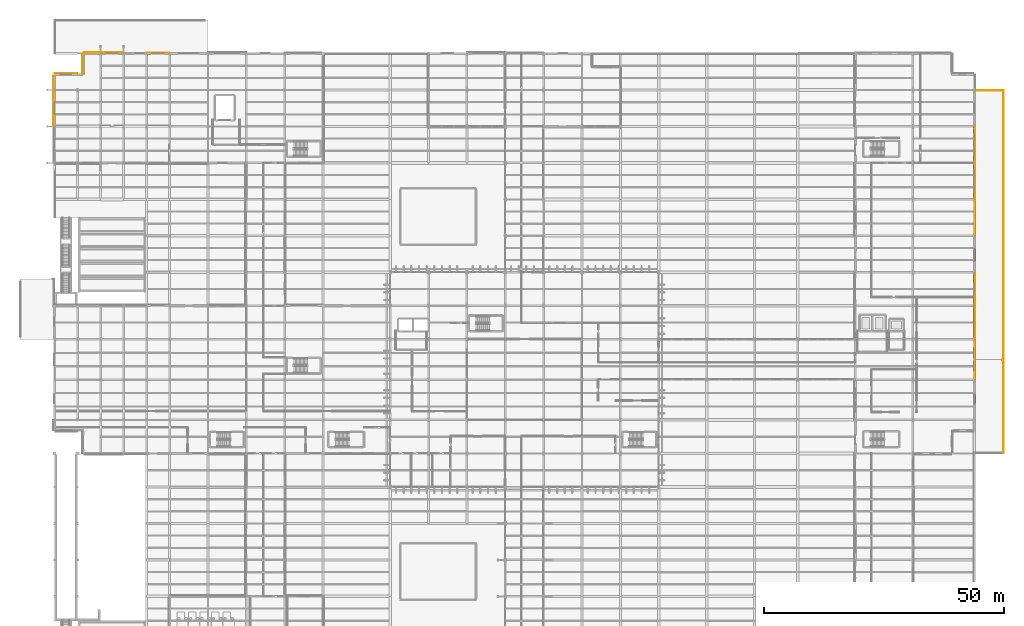
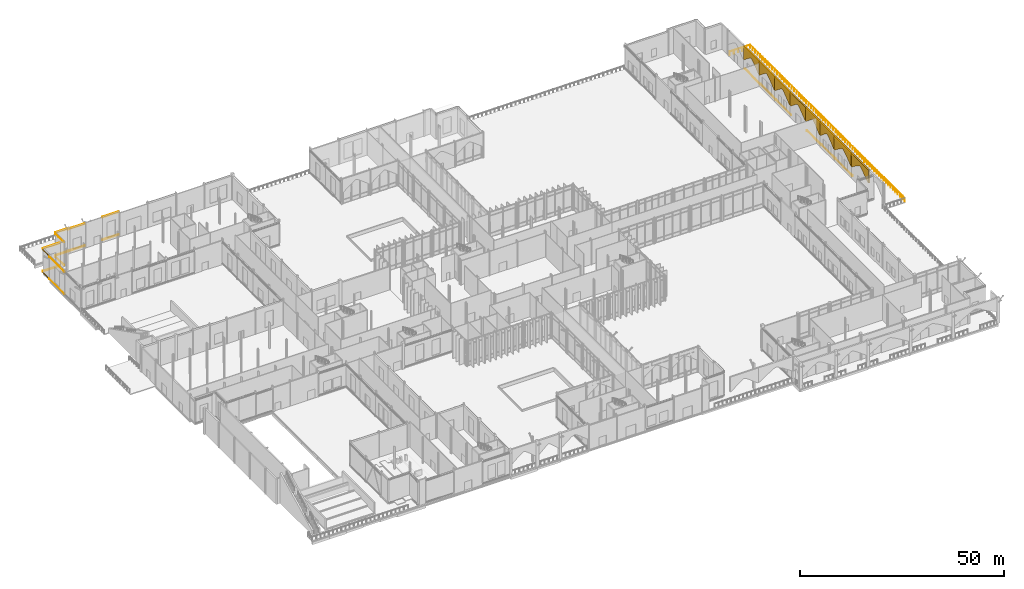
# One storey, part 174 of 176: 34 coverings, 2 railings.
"""IFC4 building model written with IfcOpenShell, lengths in metres."""

from ifc_helpers import new_model, si_unit, direction, frame, origin, origin_2d, place, context, subcontext, project, spatial, polyline, rectangle, circle, outline, extrude, material, layer, layer_set, type_object, element, save


model = new_model("IFC4")

# Units and contexts
model_context = context("Model", 3, precision=1e-05, world=origin(), true_north=direction((0.0, 1.0)))
body_context = subcontext(model_context, "Body", "Model", "MODEL_VIEW")
ifc_project = project(units=[si_unit("LENGTHUNIT", "METRE"), si_unit("AREAUNIT", "SQUARE_METRE"), si_unit("VOLUMEUNIT", "CUBIC_METRE"), si_unit("PLANEANGLEUNIT", "RADIAN"), si_unit("MASSUNIT", "GRAM", prefix="KILO")], contexts=[model_context])

# Site, building, storey
site_placement = place(None, origin())
site = spatial("IfcSite", under=ifc_project, at=site_placement, CompositionType="ELEMENT")
building_placement = place(site_placement, origin())
building = spatial("IfcBuilding", under=site, at=building_placement, Name="Vekula Escarpment Museum", CompositionType="ELEMENT")
storey_placement = place(building_placement, origin())
storey = spatial("IfcBuildingStorey", under=building, at=storey_placement, Name="L01", CompositionType="ELEMENT", Elevation=0.0)

# Coverings
ifc_material_1 = material(Name="Polychrome limestone almasik string-course band", Category="masonry")
ifc_layer_1 = layer(ifc_material_1, 0.06005859375)
ifc_layer_set_1 = layer_set([ifc_layer_1], Name="Polychrome limestone almasik string-course band")
covering_type_1 = type_object("IfcCoveringType", Name="COV-ALM-BAND", PredefinedType="CLADDING", material=ifc_layer_set_1)
for number, where, z_axis, x_axis, name in (
    (1, (191.97607421875, 72.199951171875, 0.41015625), (0.0, 0.0, 1.0), (0.0, 1.0, 0.0), "Almasik Stone String Course L01-0045"),
    (2, (191.97607421875, 72.199951171875, 6.7548828125), (0.0, 0.0, 1.0), (0.0, 1.0, 0.0), "Almasik Stone String Course L01-0046"),
):
    element("IfcCovering", number, at=place(storey_placement, frame(where, z_axis=z_axis, x_axis=x_axis)), inside=storey, type_object=covering_type_1, Name=name, PredefinedType="CLADDING", context=body_context, shape_type="SweptSolid", body=[
        extrude(rectangle(XDim=8.280029296875, YDim=0.06005859375, at=origin_2d()), origin(), (0.0, 0.0, 1.0), 0.219970703125),
    ])
for number, where, z_axis, x_axis, name in (
    (3, (192.01611328125, 79.89990234375, 0.41015625), (0.0, 0.0, 1.0), (0.0, 1.0, 0.0), "Almasik Stone String Course L01-0047"),
    (4, (192.01611328125, 79.89990234375, 6.90478515625), (0.0, 0.0, 1.0), (0.0, 1.0, 0.0), "Almasik Stone String Course L01-0048"),
    (5, (192.0009765625, 86.89990234375, 0.41015625), (0.0, 0.0, 1.0), (0.0, 1.0, 0.0), "Almasik Stone String Course L01-0049"),
    (6, (192.0009765625, 86.89990234375, 6.90478515625), (0.0, 0.0, 1.0), (0.0, 1.0, 0.0), "Almasik Stone String Course L01-0050"),
):
    element("IfcCovering", number, at=place(storey_placement, frame(where, z_axis=z_axis, x_axis=x_axis)), inside=storey, type_object=covering_type_1, Name=name, PredefinedType="CLADDING", context=body_context, shape_type="SweptSolid", body=[
        extrude(rectangle(XDim=6.8798828125, YDim=0.06005859375, at=origin_2d()), origin(), (0.0, 0.0, 1.0), 0.219970703125),
    ])
for number, where, z_axis, x_axis, name in (
    (7, (191.97607421875, 101.800048828125, 0.41015625), (0.0, 0.0, 1.0), (0.0, 1.0, 0.0), "Almasik Stone String Course L01-0051"),
    (8, (191.97607421875, 101.800048828125, 6.90478515625), (0.0, 0.0, 1.0), (0.0, 1.0, 0.0), "Almasik Stone String Course L01-0052"),
    (9, (192.01611328125, 109.39990234375, 0.41015625), (0.0, 0.0, 1.0), (0.0, 1.0, 0.0), "Almasik Stone String Course L01-0053"),
    (10, (192.01611328125, 109.39990234375, 6.90478515625), (0.0, 0.0, 1.0), (0.0, 1.0, 0.0), "Almasik Stone String Course L01-0054"),
    (11, (192.0009765625, 117.0, 0.41015625), (0.0, 0.0, 1.0), (0.0, 1.0, 0.0), "Almasik Stone String Course L01-0055"),
    (12, (192.0009765625, 117.0, 6.90478515625), (0.0, 0.0, 1.0), (0.0, 1.0, 0.0), "Almasik Stone String Course L01-0056"),
):
    element("IfcCovering", number, at=place(storey_placement, frame(where, z_axis=z_axis, x_axis=x_axis)), inside=storey, type_object=covering_type_1, Name=name, PredefinedType="CLADDING", context=body_context, shape_type="SweptSolid", body=[
        extrude(rectangle(XDim=7.47998046875, YDim=0.06005859375, at=origin_2d()), origin(), (0.0, 0.0, 1.0), 0.219970703125),
    ])
for number, where, z_axis, x_axis, name in (
    (13, (21.60009765625, 136.18603515625, 0.41015625), (0.0, 0.0, 1.0), (1.0, 0.0, 0.0), "Almasik Stone String Course L01-0117"),
    (14, (21.60009765625, 136.18603515625, 7.2099609375), (0.0, 0.0, 1.0), (1.0, 0.0, 0.0), "Almasik Stone String Course L01-0118"),
    (15, (12.0, 136.216064453125, 0.41015625), (0.0, 0.0, 1.0), (1.0, 0.0, 0.0), "Almasik Stone String Course L01-0119"),
    (16, (12.0, 136.216064453125, 6.98486328125), (0.0, 0.0, 1.0), (1.0, 0.0, 0.0), "Almasik Stone String Course L01-0120"),
):
    element("IfcCovering", number, at=place(storey_placement, frame(where, z_axis=z_axis, x_axis=x_axis)), inside=storey, type_object=covering_type_1, Name=name, PredefinedType="CLADDING", context=body_context, shape_type="SweptSolid", body=[
        extrude(rectangle(XDim=4.679931640625, YDim=0.06005859375, at=origin_2d()), origin(), (0.0, 0.0, 1.0), 0.219970703125),
    ])
for number, where, z_axis, x_axis, name in (
    (17, (7.800048828125, 136.200927734375, 0.41015625), (0.0, 0.0, 1.0), (1.0, 0.0, 0.0), "Almasik Stone String Course L01-0121"),
    (18, (7.800048828125, 136.200927734375, 7.2099609375), (0.0, 0.0, 1.0), (1.0, 0.0, 0.0), "Almasik Stone String Course L01-0122"),
):
    element("IfcCovering", number, at=place(storey_placement, frame(where, z_axis=z_axis, x_axis=x_axis)), inside=storey, type_object=covering_type_1, Name=name, PredefinedType="CLADDING", context=body_context, shape_type="SweptSolid", body=[
        extrude(rectangle(XDim=3.47998046875, YDim=0.06005859375, at=origin_2d()), origin(), (0.0, 0.0, 1.0), 0.219970703125),
    ])
for number, where, z_axis, x_axis, name in (
    (19, (5.81396484375, 133.744384765625, 0.41015625), (0.0, 0.0, 1.0), (0.0, 1.0, 0.0), "Almasik Stone String Course L01-0123"),
    (20, (5.81396484375, 133.744384765625, 7.2099609375), (0.0, 0.0, 1.0), (0.0, 1.0, 0.0), "Almasik Stone String Course L01-0124"),
):
    element("IfcCovering", number, at=place(storey_placement, frame(where, z_axis=z_axis, x_axis=x_axis)), inside=storey, type_object=covering_type_1, Name=name, PredefinedType="CLADDING", context=body_context, shape_type="SweptSolid", body=[
        extrude(rectangle(XDim=4.032958984375, YDim=0.06005859375, at=origin_2d()), origin(), (0.0, 0.0, 1.0), 0.219970703125),
    ])
for number, where, z_axis, x_axis, name in (
    (21, (2.39990234375, 131.884033203125, 0.41015625), (0.0, 0.0, 1.0), (1.0, 0.0, 0.0), "Almasik Stone String Course L01-0125"),
    (22, (2.39990234375, 131.884033203125, 7.2099609375), (0.0, 0.0, 1.0), (1.0, 0.0, 0.0), "Almasik Stone String Course L01-0126"),
):
    element("IfcCovering", number, at=place(storey_placement, frame(where, z_axis=z_axis, x_axis=x_axis)), inside=storey, type_object=covering_type_1, Name=name, PredefinedType="CLADDING", context=body_context, shape_type="SweptSolid", body=[
        extrude(rectangle(XDim=4.679931640625, YDim=0.06005859375, at=origin_2d()), origin(), (0.0, 0.0, 1.0), 0.219970703125),
    ])
for number, where, z_axis, x_axis, name in (
    (23, (-0.200927734375, 129.93701171875, 0.41015625), (0.0, 0.0, 1.0), (0.0, 1.0, 0.0), "Almasik Stone String Course L01-0127"),
    (24, (-0.200927734375, 129.93701171875, 7.2099609375), (0.0, 0.0, 1.0), (0.0, 1.0, 0.0), "Almasik Stone String Course L01-0128"),
):
    element("IfcCovering", number, at=place(storey_placement, frame(where, z_axis=z_axis, x_axis=x_axis)), inside=storey, type_object=covering_type_1, Name=name, PredefinedType="CLADDING", context=body_context, shape_type="SweptSolid", body=[
        extrude(rectangle(XDim=2.9541015625, YDim=0.06005859375, at=origin_2d()), origin(), (0.0, 0.0, 1.0), 0.219970703125),
    ])
for number, where, z_axis, x_axis, name in (
    (25, (-0.18603515625, 124.60009765625, 0.41015625), (0.0, 0.0, 1.0), (0.0, 1.0, 0.0), "Almasik Stone String Course L01-0129"),
    (26, (-0.18603515625, 124.60009765625, 6.96484375), (0.0, 0.0, 1.0), (0.0, 1.0, 0.0), "Almasik Stone String Course L01-0130"),
):
    element("IfcCovering", number, at=place(storey_placement, frame(where, z_axis=z_axis, x_axis=x_axis)), inside=storey, type_object=covering_type_1, Name=name, PredefinedType="CLADDING", context=body_context, shape_type="SweptSolid", body=[
        extrude(rectangle(XDim=7.47998046875, YDim=0.06005859375, at=origin_2d()), origin(), (0.0, 0.0, 1.0), 0.219970703125),
    ])
ifc_material_2 = material(Name="Carved limestone revak pointed-arch cladding", Category="masonry")
ifc_layer_2 = layer(ifc_material_2, 0.3798828125)
ifc_layer_set_2 = layer_set([ifc_layer_2], Name="Carved limestone revak pointed-arch cladding")
covering_type_2 = type_object("IfcCoveringType", Name="COV-REVAK-ARCH", PredefinedType="CLADDING", material=ifc_layer_set_2)
for number, where, z_axis, x_axis, name in (
    (27, (191.590087890625, 63.800048828125, 3.550048828125), (1.0, 0.0, 0.0), (0.0, 1.0, 0.0), "Ottoman Pointed-Arch Revak Spandrel E-CUMB-2"),
    (28, (191.590087890625, 72.199951171875, 3.550048828125), (1.0, 0.0, 0.0), (0.0, 1.0, 0.0), "Ottoman Pointed-Arch Revak Spandrel E-CUMB-3"),
):
    element("IfcCovering", number, at=place(storey_placement, frame(where, z_axis=z_axis, x_axis=x_axis)), inside=storey, type_object=covering_type_2, Name=name, PredefinedType="CLADDING", context=body_context, shape_type="SweptSolid", body=[
        extrude(outline(polyline([(-4.179931640625, 4.0), (4.179931640625, 4.0), (4.179931640625, 0.0), (3.840087890625, 0.0), (3.08544921875, 0.57861328125), (2.358642578125, 1.128173828125), (1.68701171875, 1.62109375), (1.095458984375, 2.03271484375), (0.605712890625, 2.342529296875), (0.23583984375, 2.534912109375), (0.0, 2.60009765625), (-0.23583984375, 2.534912109375), (-0.605712890625, 2.342529296875), (-1.095458984375, 2.03271484375), (-1.68701171875, 1.62109375), (-2.358642578125, 1.128173828125), (-3.08544921875, 0.57861328125), (-3.840087890625, 0.0), (-4.179931640625, 0.0), (-4.179931640625, 4.0)])), origin(), (0.0, 0.0, 1.0), 0.419921875),
    ])
for number, where, z_axis, x_axis, name in (
    (29, (191.590087890625, 79.89990234375, 3.550048828125), (1.0, 0.0, 0.0), (0.0, 1.0, 0.0), "Ottoman Pointed-Arch Revak Spandrel E-CUMB-4"),
    (30, (191.590087890625, 86.89990234375, 3.550048828125), (1.0, 0.0, 0.0), (0.0, 1.0, 0.0), "Ottoman Pointed-Arch Revak Spandrel E-CUMB-5"),
):
    element("IfcCovering", number, at=place(storey_placement, frame(where, z_axis=z_axis, x_axis=x_axis)), inside=storey, type_object=covering_type_2, Name=name, PredefinedType="CLADDING", context=body_context, shape_type="SweptSolid", body=[
        extrude(outline(polyline([(-3.47998046875, 4.0), (3.47998046875, 4.0), (3.47998046875, 0.0), (3.139892578125, 0.0), (2.52294921875, 0.545166015625), (1.9287109375, 1.06298828125), (1.379638671875, 1.527587890625), (0.895751953125, 1.91552734375), (0.4951171875, 2.20751953125), (0.19287109375, 2.388671875), (0.0, 2.449951171875), (-0.19287109375, 2.388671875), (-0.4951171875, 2.20751953125), (-0.895751953125, 1.91552734375), (-1.379638671875, 1.527587890625), (-1.9287109375, 1.06298828125), (-2.52294921875, 0.545166015625), (-3.139892578125, 0.0), (-3.47998046875, 0.0), (-3.47998046875, 4.0)])), origin(), (0.0, 0.0, 1.0), 0.419921875),
    ])
for number, where, z_axis, x_axis, name in (
    (31, (191.590087890625, 94.199951171875, 3.550048828125), (1.0, 0.0, 0.0), (0.0, 1.0, 0.0), "Ottoman Pointed-Arch Revak Spandrel E-CUMB-6"),
    (32, (191.590087890625, 101.800048828125, 3.550048828125), (1.0, 0.0, 0.0), (0.0, 1.0, 0.0), "Ottoman Pointed-Arch Revak Spandrel E-CUMB-7"),
    (33, (191.590087890625, 109.39990234375, 3.550048828125), (1.0, 0.0, 0.0), (0.0, 1.0, 0.0), "Ottoman Pointed-Arch Revak Spandrel E-CUMB-8"),
    (34, (191.590087890625, 117.0, 3.550048828125), (1.0, 0.0, 0.0), (0.0, 1.0, 0.0), "Ottoman Pointed-Arch Revak Spandrel E-CUMB-9"),
):
    element("IfcCovering", number, at=place(storey_placement, frame(where, z_axis=z_axis, x_axis=x_axis)), inside=storey, type_object=covering_type_2, Name=name, PredefinedType="CLADDING", context=body_context, shape_type="SweptSolid", body=[
        extrude(outline(polyline([(-3.780029296875, 4.0), (3.780029296875, 4.0), (3.780029296875, 0.0), (3.43994140625, 0.0), (2.763916015625, 0.556396484375), (2.113037109375, 1.084716796875), (1.511474609375, 1.55859375), (0.981201171875, 1.95458984375), (0.54248046875, 2.25244140625), (0.211181640625, 2.437255859375), (0.0, 2.5), (-0.211181640625, 2.437255859375), (-0.54248046875, 2.25244140625), (-0.981201171875, 1.95458984375), (-1.511474609375, 1.55859375), (-2.113037109375, 1.084716796875), (-2.763916015625, 0.556396484375), (-3.43994140625, 0.0), (-3.780029296875, 0.0), (-3.780029296875, 4.0)])), origin(), (0.0, 0.0, 1.0), 0.419921875),
    ])

# Railings
ifc_material_3 = material(Name="Bronze-coated Steel S355 balustrade", Category="steel")
railing_type = type_object("IfcRailingType", Name="RL-TER-GUARD", PredefinedType="GUARDRAIL", material=ifc_material_3)
railing_1_placement = place(storey_placement, frame((197.64990234375, 72.10009765625, 0.0)))
element("IfcRailing", 35, at=railing_1_placement, inside=storey, type_object=railing_type, Name="Terrace Balustrade L01-009", PredefinedType="GUARDRAIL", context=body_context, shape_type="SweptSolid", body=[
    extrude(circle(Radius=0.02392578125, at=origin_2d()), frame((0.0, 0.0, 1.076171875), z_axis=(1.0, 0.0, 0.0), x_axis=(0.0, 1.0, 0.0)), (0.0, 0.0, 1.0), 0.260009765625),
    extrude(circle(Radius=0.02392578125, at=origin_2d()), frame((0.260009765625, 0.0, 1.076171875), z_axis=(0.0, -1.0, 0.0), x_axis=(1.0, 0.0, 0.0)), (0.0, 0.0, 1.0), 19.41015625),
    extrude(circle(Radius=0.02099609375, at=origin_2d()), origin(), (0.0, 0.0, 1.0), 1.052001953125),
    extrude(circle(Radius=0.02099609375, at=origin_2d()), frame((0.260009765625, 0.0, 0.0)), (0.0, 0.0, 1.0), 1.052001953125),
    extrude(circle(Radius=0.02099609375, at=origin_2d()), frame((0.260009765625, -1.141845703125, 0.0)), (0.0, 0.0, 1.0), 1.052001953125),
    extrude(circle(Radius=0.02099609375, at=origin_2d()), frame((0.260009765625, -2.283447265625, 0.0)), (0.0, 0.0, 1.0), 1.052001953125),
    extrude(circle(Radius=0.02099609375, at=origin_2d()), frame((0.260009765625, -3.42529296875, 0.0)), (0.0, 0.0, 1.0), 1.052001953125),
    extrude(circle(Radius=0.02099609375, at=origin_2d()), frame((0.260009765625, -4.567138671875, 0.0)), (0.0, 0.0, 1.0), 1.052001953125),
    extrude(circle(Radius=0.02099609375, at=origin_2d()), frame((0.260009765625, -5.708984375, 0.0)), (0.0, 0.0, 1.0), 1.052001953125),
    extrude(circle(Radius=0.02099609375, at=origin_2d()), frame((0.260009765625, -6.8505859375, 0.0)), (0.0, 0.0, 1.0), 1.052001953125),
    extrude(circle(Radius=0.02099609375, at=origin_2d()), frame((0.260009765625, -7.992431640625, 0.0)), (0.0, 0.0, 1.0), 1.052001953125),
    extrude(circle(Radius=0.02099609375, at=origin_2d()), frame((0.260009765625, -9.13427734375, 0.0)), (0.0, 0.0, 1.0), 1.052001953125),
    extrude(circle(Radius=0.02099609375, at=origin_2d()), frame((0.260009765625, -10.27587890625, 0.0)), (0.0, 0.0, 1.0), 1.052001953125),
    extrude(circle(Radius=0.02099609375, at=origin_2d()), frame((0.260009765625, -11.417724609375, 0.0)), (0.0, 0.0, 1.0), 1.052001953125),
    extrude(circle(Radius=0.02099609375, at=origin_2d()), frame((0.260009765625, -12.5595703125, 0.0)), (0.0, 0.0, 1.0), 1.052001953125),
    extrude(circle(Radius=0.02099609375, at=origin_2d()), frame((0.260009765625, -13.701171875, 0.0)), (0.0, 0.0, 1.0), 1.052001953125),
    extrude(circle(Radius=0.02099609375, at=origin_2d()), frame((0.260009765625, -14.843017578125, 0.0)), (0.0, 0.0, 1.0), 1.052001953125),
    extrude(circle(Radius=0.02099609375, at=origin_2d()), frame((0.260009765625, -15.98486328125, 0.0)), (0.0, 0.0, 1.0), 1.052001953125),
    extrude(circle(Radius=0.02099609375, at=origin_2d()), frame((0.260009765625, -17.126708984375, 0.0)), (0.0, 0.0, 1.0), 1.052001953125),
    extrude(circle(Radius=0.02099609375, at=origin_2d()), frame((0.260009765625, -18.268310546875, 0.0)), (0.0, 0.0, 1.0), 1.052001953125),
    extrude(circle(Radius=0.02099609375, at=origin_2d()), frame((0.260009765625, -19.41015625, 0.0)), (0.0, 0.0, 1.0), 1.052001953125),
])
railing_2_placement = place(storey_placement, frame((192.1201171875, 128.31005859375, 0.0)))
element("IfcRailing", 36, at=railing_2_placement, inside=storey, type_object=railing_type, Name="Terrace Balustrade L01-020", PredefinedType="GUARDRAIL", context=body_context, shape_type="SweptSolid", body=[
    extrude(circle(Radius=0.02392578125, at=origin_2d()), frame((0.0, 0.0, 1.076171875), z_axis=(1.0, 0.0, 0.0), x_axis=(0.0, 1.0, 0.0)), (0.0, 0.0, 1.0), 5.789794921875),
    extrude(circle(Radius=0.02392578125, at=origin_2d()), frame((5.789794921875, 0.0, 1.076171875), z_axis=(0.0, -1.0, 0.0), x_axis=(1.0, 0.0, 0.0)), (0.0, 0.0, 1.0), 56.010009765625),
    extrude(circle(Radius=0.02099609375, at=origin_2d()), origin(), (0.0, 0.0, 1.0), 1.052001953125),
    extrude(circle(Radius=0.02099609375, at=origin_2d()), frame((1.157958984375, 0.0, 0.0)), (0.0, 0.0, 1.0), 1.052001953125),
    extrude(circle(Radius=0.02099609375, at=origin_2d()), frame((2.31591796875, 0.0, 0.0)), (0.0, 0.0, 1.0), 1.052001953125),
    extrude(circle(Radius=0.02099609375, at=origin_2d()), frame((3.473876953125, 0.0, 0.0)), (0.0, 0.0, 1.0), 1.052001953125),
    extrude(circle(Radius=0.02099609375, at=origin_2d()), frame((4.6318359375, 0.0, 0.0)), (0.0, 0.0, 1.0), 1.052001953125),
    extrude(circle(Radius=0.02099609375, at=origin_2d()), frame((5.789794921875, 0.0, 0.0)), (0.0, 0.0, 1.0), 1.052001953125),
    extrude(circle(Radius=0.02099609375, at=origin_2d()), frame((5.789794921875, -1.191650390625, 0.0)), (0.0, 0.0, 1.0), 1.052001953125),
    extrude(circle(Radius=0.02099609375, at=origin_2d()), frame((5.789794921875, -2.38330078125, 0.0)), (0.0, 0.0, 1.0), 1.052001953125),
    extrude(circle(Radius=0.02099609375, at=origin_2d()), frame((5.789794921875, -3.5751953125, 0.0)), (0.0, 0.0, 1.0), 1.052001953125),
    extrude(circle(Radius=0.02099609375, at=origin_2d()), frame((5.789794921875, -4.766845703125, 0.0)), (0.0, 0.0, 1.0), 1.052001953125),
    extrude(circle(Radius=0.02099609375, at=origin_2d()), frame((5.789794921875, -5.95849609375, 0.0)), (0.0, 0.0, 1.0), 1.052001953125),
    extrude(circle(Radius=0.02099609375, at=origin_2d()), frame((5.789794921875, -7.150146484375, 0.0)), (0.0, 0.0, 1.0), 1.052001953125),
    extrude(circle(Radius=0.02099609375, at=origin_2d()), frame((5.789794921875, -8.341796875, 0.0)), (0.0, 0.0, 1.0), 1.052001953125),
    extrude(circle(Radius=0.02099609375, at=origin_2d()), frame((5.789794921875, -9.53369140625, 0.0)), (0.0, 0.0, 1.0), 1.052001953125),
    extrude(circle(Radius=0.02099609375, at=origin_2d()), frame((5.789794921875, -10.725341796875, 0.0)), (0.0, 0.0, 1.0), 1.052001953125),
    extrude(circle(Radius=0.02099609375, at=origin_2d()), frame((5.789794921875, -11.9169921875, 0.0)), (0.0, 0.0, 1.0), 1.052001953125),
    extrude(circle(Radius=0.02099609375, at=origin_2d()), frame((5.789794921875, -13.108642578125, 0.0)), (0.0, 0.0, 1.0), 1.052001953125),
    extrude(circle(Radius=0.02099609375, at=origin_2d()), frame((5.789794921875, -14.300537109375, 0.0)), (0.0, 0.0, 1.0), 1.052001953125),
    extrude(circle(Radius=0.02099609375, at=origin_2d()), frame((5.789794921875, -15.4921875, 0.0)), (0.0, 0.0, 1.0), 1.052001953125),
    extrude(circle(Radius=0.02099609375, at=origin_2d()), frame((5.789794921875, -16.683837890625, 0.0)), (0.0, 0.0, 1.0), 1.052001953125),
    extrude(circle(Radius=0.02099609375, at=origin_2d()), frame((5.789794921875, -17.87548828125, 0.0)), (0.0, 0.0, 1.0), 1.052001953125),
    extrude(circle(Radius=0.02099609375, at=origin_2d()), frame((5.789794921875, -19.067138671875, 0.0)), (0.0, 0.0, 1.0), 1.052001953125),
    extrude(circle(Radius=0.02099609375, at=origin_2d()), frame((5.789794921875, -20.259033203125, 0.0)), (0.0, 0.0, 1.0), 1.052001953125),
    extrude(circle(Radius=0.02099609375, at=origin_2d()), frame((5.789794921875, -21.45068359375, 0.0)), (0.0, 0.0, 1.0), 1.052001953125),
    extrude(circle(Radius=0.02099609375, at=origin_2d()), frame((5.789794921875, -22.642333984375, 0.0)), (0.0, 0.0, 1.0), 1.052001953125),
    extrude(circle(Radius=0.02099609375, at=origin_2d()), frame((5.789794921875, -23.833984375, 0.0)), (0.0, 0.0, 1.0), 1.052001953125),
    extrude(circle(Radius=0.02099609375, at=origin_2d()), frame((5.789794921875, -25.025634765625, 0.0)), (0.0, 0.0, 1.0), 1.052001953125),
    extrude(circle(Radius=0.02099609375, at=origin_2d()), frame((5.789794921875, -26.217529296875, 0.0)), (0.0, 0.0, 1.0), 1.052001953125),
    extrude(circle(Radius=0.02099609375, at=origin_2d()), frame((5.789794921875, -27.4091796875, 0.0)), (0.0, 0.0, 1.0), 1.052001953125),
    extrude(circle(Radius=0.02099609375, at=origin_2d()), frame((5.789794921875, -28.600830078125, 0.0)), (0.0, 0.0, 1.0), 1.052001953125),
    extrude(circle(Radius=0.02099609375, at=origin_2d()), frame((5.789794921875, -29.79248046875, 0.0)), (0.0, 0.0, 1.0), 1.052001953125),
    extrude(circle(Radius=0.02099609375, at=origin_2d()), frame((5.789794921875, -30.984375, 0.0)), (0.0, 0.0, 1.0), 1.052001953125),
    extrude(circle(Radius=0.02099609375, at=origin_2d()), frame((5.789794921875, -32.176025390625, 0.0)), (0.0, 0.0, 1.0), 1.052001953125),
    extrude(circle(Radius=0.02099609375, at=origin_2d()), frame((5.789794921875, -33.36767578125, 0.0)), (0.0, 0.0, 1.0), 1.052001953125),
    extrude(circle(Radius=0.02099609375, at=origin_2d()), frame((5.789794921875, -34.559326171875, 0.0)), (0.0, 0.0, 1.0), 1.052001953125),
    extrude(circle(Radius=0.02099609375, at=origin_2d()), frame((5.789794921875, -35.7509765625, 0.0)), (0.0, 0.0, 1.0), 1.052001953125),
    extrude(circle(Radius=0.02099609375, at=origin_2d()), frame((5.789794921875, -36.94287109375, 0.0)), (0.0, 0.0, 1.0), 1.052001953125),
    extrude(circle(Radius=0.02099609375, at=origin_2d()), frame((5.789794921875, -38.134521484375, 0.0)), (0.0, 0.0, 1.0), 1.052001953125),
    extrude(circle(Radius=0.02099609375, at=origin_2d()), frame((5.789794921875, -39.326171875, 0.0)), (0.0, 0.0, 1.0), 1.052001953125),
    extrude(circle(Radius=0.02099609375, at=origin_2d()), frame((5.789794921875, -40.517822265625, 0.0)), (0.0, 0.0, 1.0), 1.052001953125),
    extrude(circle(Radius=0.02099609375, at=origin_2d()), frame((5.789794921875, -41.70947265625, 0.0)), (0.0, 0.0, 1.0), 1.052001953125),
    extrude(circle(Radius=0.02099609375, at=origin_2d()), frame((5.789794921875, -42.9013671875, 0.0)), (0.0, 0.0, 1.0), 1.052001953125),
    extrude(circle(Radius=0.02099609375, at=origin_2d()), frame((5.789794921875, -44.093017578125, 0.0)), (0.0, 0.0, 1.0), 1.052001953125),
    extrude(circle(Radius=0.02099609375, at=origin_2d()), frame((5.789794921875, -45.28466796875, 0.0)), (0.0, 0.0, 1.0), 1.052001953125),
    extrude(circle(Radius=0.02099609375, at=origin_2d()), frame((5.789794921875, -46.476318359375, 0.0)), (0.0, 0.0, 1.0), 1.052001953125),
    extrude(circle(Radius=0.02099609375, at=origin_2d()), frame((5.789794921875, -47.668212890625, 0.0)), (0.0, 0.0, 1.0), 1.052001953125),
    extrude(circle(Radius=0.02099609375, at=origin_2d()), frame((5.789794921875, -48.85986328125, 0.0)), (0.0, 0.0, 1.0), 1.052001953125),
    extrude(circle(Radius=0.02099609375, at=origin_2d()), frame((5.789794921875, -50.051513671875, 0.0)), (0.0, 0.0, 1.0), 1.052001953125),
    extrude(circle(Radius=0.02099609375, at=origin_2d()), frame((5.789794921875, -51.2431640625, 0.0)), (0.0, 0.0, 1.0), 1.052001953125),
    extrude(circle(Radius=0.02099609375, at=origin_2d()), frame((5.789794921875, -52.434814453125, 0.0)), (0.0, 0.0, 1.0), 1.052001953125),
    extrude(circle(Radius=0.02099609375, at=origin_2d()), frame((5.789794921875, -53.626708984375, 0.0)), (0.0, 0.0, 1.0), 1.052001953125),
    extrude(circle(Radius=0.02099609375, at=origin_2d()), frame((5.789794921875, -54.818359375, 0.0)), (0.0, 0.0, 1.0), 1.052001953125),
    extrude(circle(Radius=0.02099609375, at=origin_2d()), frame((5.789794921875, -56.010009765625, 0.0)), (0.0, 0.0, 1.0), 1.052001953125),
])

save(model, "model.ifc")
